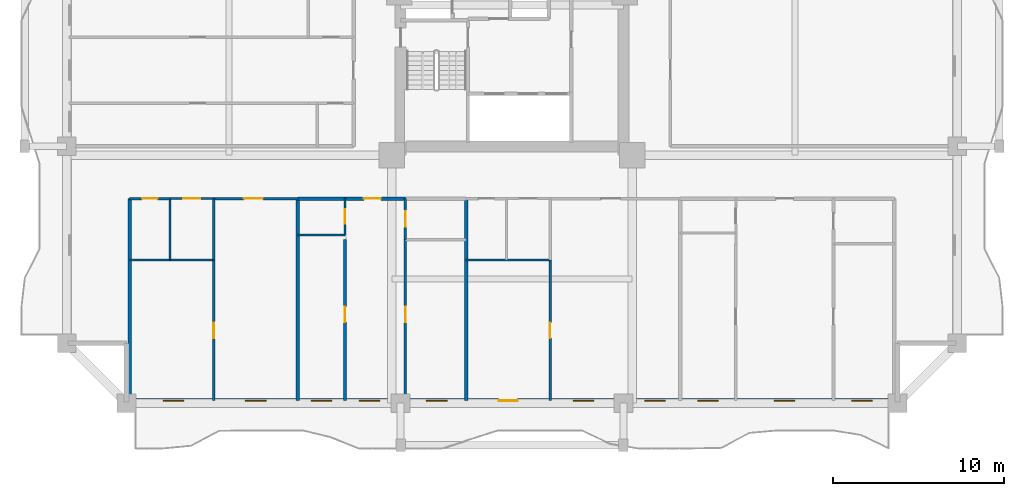
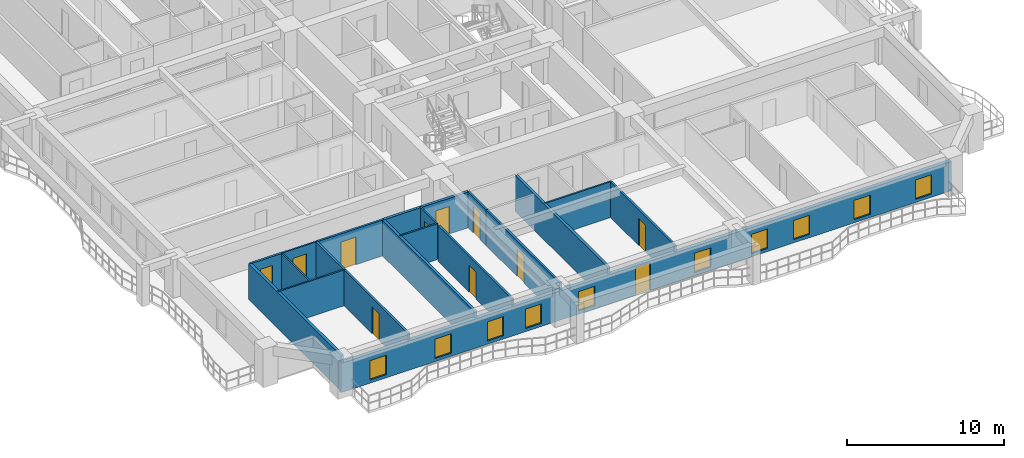
# One storey, part 2 of 15: 20 walls, 11 doors, 10 windows, 21 openings.
"""IFC4 building model written with IfcOpenShell, lengths in metres."""

from ifc_helpers import new_model, si_unit, direction, frame, frame_2d, origin, place, context, subcontext, project, spatial, rectangle, extrude, source, transform, mapped, material, layer, layer_set, type_object, element, fill, save


model = new_model("IFC4")

# Units and contexts
model_context = context("Model", 3, precision=1e-05, world=origin(), true_north=direction((0.0, 1.0)))
body_context = subcontext(model_context, "Body", "Model", "MODEL_VIEW")
ifc_project = project(units=[si_unit("LENGTHUNIT", "METRE"), si_unit("AREAUNIT", "SQUARE_METRE"), si_unit("VOLUMEUNIT", "CUBIC_METRE"), si_unit("PLANEANGLEUNIT", "RADIAN"), si_unit("MASSUNIT", "GRAM", prefix="KILO")], contexts=[model_context])

# Site, building, storey
site_placement = place(None, origin())
site = spatial("IfcSite", under=ifc_project, at=site_placement, CompositionType="ELEMENT")
building_placement = place(site_placement, origin())
building = spatial("IfcBuilding", under=site, at=building_placement, Name="Saelheon Loggia Tower", CompositionType="ELEMENT")
storey_placement = place(building_placement, frame((0.0, 0.0, 46.39990234375)))
storey = spatial("IfcBuildingStorey", under=building, at=storey_placement, Name="L14", CompositionType="ELEMENT", Elevation=46.39990234375)

# Wall, openings, windows, door
ifc_material_1 = material(Name="Architectural Precast Concrete C40/50", Category="concrete")
ifc_layer_1 = layer(ifc_material_1, 0.280029296875)
ifc_layer_set_1 = layer_set([ifc_layer_1], Name="Architectural Precast Concrete C40/50")
wall_type_1 = type_object("IfcWallType", Name="Wall_Ext_Loggia_280", PredefinedType="SOLIDWALL", material=ifc_layer_set_1)
wall_1_placement = place(storey_placement, frame((15.5, 3.139892578125, 0.0), z_axis=(0.0, 0.0, 1.0), x_axis=(1.0, 0.0, 0.0)))
wall_1 = element("IfcWall", 1, at=wall_1_placement, inside=storey, type_object=wall_type_1, Name="L14 South Loggia Inner Wall", PredefinedType="SOLIDWALL", context=body_context, shape_type="SweptSolid", body=[
    extrude(rectangle(XDim=45.0, YDim=0.280029296875, at=frame_2d((22.5, 0.0))), origin(), (0.0, 0.0, 1.0), 2.280029296875),
])
opening_1_placement = place(wall_1_placement, frame((2.135009765625, 0.0, 0.25)))
opening_1 = element("IfcOpeningElement", 2, at=opening_1_placement, cuts=wall_1, Name="Opening WN-03", PredefinedType="OPENING", context=body_context, shape_type="SweptSolid", body=[
    extrude(rectangle(XDim=1.199951171875, YDim=1.5, at=frame_2d((0.60009765625, 0.75))), frame((0.0, 0.152099609375, 0.0), z_axis=(0.0, -1.0, 0.0), x_axis=(1.0, 0.0, 0.0)), (0.0, 0.0, 1.0), 0.303955078125),
])
opening_2_placement = place(wall_1_placement, frame((6.9404296875, 0.0, 0.25)))
opening_2 = element("IfcOpeningElement", 3, at=opening_2_placement, cuts=wall_1, Name="Opening WN-03", PredefinedType="OPENING", context=body_context, shape_type="SweptSolid", body=[
    extrude(rectangle(XDim=1.199951171875, YDim=1.5, at=frame_2d((0.60009765625, 0.75))), frame((0.0, 0.152099609375, 0.0), z_axis=(0.0, -1.0, 0.0), x_axis=(1.0, 0.0, 0.0)), (0.0, 0.0, 1.0), 0.303955078125),
])
opening_3_placement = place(wall_1_placement, frame((10.775634765625, 0.0, 0.25)))
opening_3 = element("IfcOpeningElement", 4, at=opening_3_placement, cuts=wall_1, Name="Opening WN-03", PredefinedType="OPENING", context=body_context, shape_type="SweptSolid", body=[
    extrude(rectangle(XDim=1.199951171875, YDim=1.5, at=frame_2d((0.60009765625, 0.75))), frame((0.0, 0.152099609375, 0.0), z_axis=(0.0, -1.0, 0.0), x_axis=(1.0, 0.0, 0.0)), (0.0, 0.0, 1.0), 0.303955078125),
])
opening_4_placement = place(wall_1_placement, frame((13.580322265625, 0.0, 0.25)))
opening_4 = element("IfcOpeningElement", 5, at=opening_4_placement, cuts=wall_1, Name="Opening WN-03", PredefinedType="OPENING", context=body_context, shape_type="SweptSolid", body=[
    extrude(rectangle(XDim=1.199951171875, YDim=1.5, at=frame_2d((0.60009765625, 0.75))), frame((0.0, 0.152099609375, 0.0), z_axis=(0.0, -1.0, 0.0), x_axis=(1.0, 0.0, 0.0)), (0.0, 0.0, 1.0), 0.303955078125),
])
opening_5_placement = place(wall_1_placement, frame((17.505859375, 0.0, 0.25)))
opening_5 = element("IfcOpeningElement", 6, at=opening_5_placement, cuts=wall_1, Name="Opening WN-03", PredefinedType="OPENING", context=body_context, shape_type="SweptSolid", body=[
    extrude(rectangle(XDim=1.199951171875, YDim=1.5, at=frame_2d((0.60009765625, 0.75))), frame((0.0, 0.152099609375, 0.0), z_axis=(0.0, -1.0, 0.0), x_axis=(1.0, 0.0, 0.0)), (0.0, 0.0, 1.0), 0.303955078125),
])
opening_6_placement = place(wall_1_placement, frame((22.82177734375, 0.0, 0.0), z_axis=(0.0, 0.0, 1.0), x_axis=(-1.0, 0.0, 0.0)))
opening_6 = element("IfcOpeningElement", 7, at=opening_6_placement, cuts=wall_1, Name="Opening TD1", PredefinedType="OPENING", context=body_context, shape_type="SweptSolid", body=[
    extrude(rectangle(XDim=1.10009765625, YDim=2.14990234375, at=frame_2d((0.550048828125, 1.074951171875))), frame((0.0, 0.152099609375, 0.0), z_axis=(0.0, -1.0, 0.0), x_axis=(1.0, 0.0, 0.0)), (0.0, 0.0, 1.0), 0.303955078125),
])
opening_7_placement = place(wall_1_placement, frame((26.06591796875, 0.0, 0.25)))
opening_7 = element("IfcOpeningElement", 8, at=opening_7_placement, cuts=wall_1, Name="Opening WN-03", PredefinedType="OPENING", context=body_context, shape_type="SweptSolid", body=[
    extrude(rectangle(XDim=1.199951171875, YDim=1.5, at=frame_2d((0.60009765625, 0.75))), frame((0.0, 0.152099609375, 0.0), z_axis=(0.0, -1.0, 0.0), x_axis=(1.0, 0.0, 0.0)), (0.0, 0.0, 1.0), 0.303955078125),
])
opening_8_placement = place(wall_1_placement, frame((30.25537109375, 0.0, 0.25)))
opening_8 = element("IfcOpeningElement", 9, at=opening_8_placement, cuts=wall_1, Name="Opening WN-03", PredefinedType="OPENING", context=body_context, shape_type="SweptSolid", body=[
    extrude(rectangle(XDim=1.199951171875, YDim=1.5, at=frame_2d((0.60009765625, 0.75))), frame((0.0, 0.152099609375, 0.0), z_axis=(0.0, -1.0, 0.0), x_axis=(1.0, 0.0, 0.0)), (0.0, 0.0, 1.0), 0.303955078125),
])
opening_9_placement = place(wall_1_placement, frame((33.345703125, 0.0, 0.25)))
opening_9 = element("IfcOpeningElement", 10, at=opening_9_placement, cuts=wall_1, Name="Opening WN-03", PredefinedType="OPENING", context=body_context, shape_type="SweptSolid", body=[
    extrude(rectangle(XDim=1.199951171875, YDim=1.5, at=frame_2d((0.60009765625, 0.75))), frame((0.0, 0.152099609375, 0.0), z_axis=(0.0, -1.0, 0.0), x_axis=(1.0, 0.0, 0.0)), (0.0, 0.0, 1.0), 0.303955078125),
])
opening_10_placement = place(wall_1_placement, frame((37.8212890625, 0.0, 0.25)))
opening_10 = element("IfcOpeningElement", 11, at=opening_10_placement, cuts=wall_1, Name="Opening WN-03", PredefinedType="OPENING", context=body_context, shape_type="SweptSolid", body=[
    extrude(rectangle(XDim=1.199951171875, YDim=1.5, at=frame_2d((0.60009765625, 0.75))), frame((0.0, 0.152099609375, 0.0), z_axis=(0.0, -1.0, 0.0), x_axis=(1.0, 0.0, 0.0)), (0.0, 0.0, 1.0), 0.303955078125),
])
opening_11_placement = place(wall_1_placement, frame((42.341064453125, 0.0, 0.25)))
opening_11 = element("IfcOpeningElement", 12, at=opening_11_placement, cuts=wall_1, Name="Opening WN-03", PredefinedType="OPENING", context=body_context, shape_type="SweptSolid", body=[
    extrude(rectangle(XDim=1.199951171875, YDim=1.5, at=frame_2d((0.60009765625, 0.75))), frame((0.0, 0.152099609375, 0.0), z_axis=(0.0, -1.0, 0.0), x_axis=(1.0, 0.0, 0.0)), (0.0, 0.0, 1.0), 0.303955078125),
])
ifc_material_2 = material(Name="Thermal-Break Aluminium and Triple Low-E Glass", Category="aluminium")
window_type = type_object("IfcWindowType", Name="Win_Bedroom_1200x1500", PartitioningType="SINGLE_PANEL", PredefinedType="WINDOW", material=ifc_material_2)
shared_shape_1 = source(origin(), body_context, "Body", "SweptSolid", [
    extrude(rectangle(XDim=1.199951171875, YDim=1.5, at=frame_2d((0.60009765625, 0.75))), frame((0.0, 0.030029296875, 0.0), z_axis=(0.0, -1.0, 0.0), x_axis=(1.0, 0.0, 0.0)), (0.0, 0.0, 1.0), 0.06005859375),
])
window_1_placement = place(opening_1_placement, origin())
window_1 = element("IfcWindow", 13, at=window_1_placement, inside=storey, type_object=window_type, Name="L14 S Dwelling Window 1", OverallHeight=1.5, OverallWidth=1.199951171875, PartitioningType="SINGLE_PANEL", PredefinedType="WINDOW", context=body_context, shape_type="MappedRepresentation", body=[
    mapped(shared_shape_1, transform((0.0, 0.0, 0.0), scale=1.0)),
])
fill(opening_1, window_1)
window_2_placement = place(opening_2_placement, origin())
window_2 = element("IfcWindow", 14, at=window_2_placement, inside=storey, type_object=window_type, Name="L14 S Dwelling Window 2", OverallHeight=1.5, OverallWidth=1.199951171875, PartitioningType="SINGLE_PANEL", PredefinedType="WINDOW", context=body_context, shape_type="MappedRepresentation", body=[
    mapped(shared_shape_1, transform((0.0, 0.0, 0.0), scale=1.0)),
])
fill(opening_2, window_2)
window_3_placement = place(opening_3_placement, origin())
window_3 = element("IfcWindow", 15, at=window_3_placement, inside=storey, type_object=window_type, Name="L14 S Dwelling Window 3", OverallHeight=1.5, OverallWidth=1.199951171875, PartitioningType="SINGLE_PANEL", PredefinedType="WINDOW", context=body_context, shape_type="MappedRepresentation", body=[
    mapped(shared_shape_1, transform((0.0, 0.0, 0.0), scale=1.0)),
])
fill(opening_3, window_3)
window_4_placement = place(opening_4_placement, origin())
window_4 = element("IfcWindow", 16, at=window_4_placement, inside=storey, type_object=window_type, Name="L14 S Dwelling Window 4", OverallHeight=1.5, OverallWidth=1.199951171875, PartitioningType="SINGLE_PANEL", PredefinedType="WINDOW", context=body_context, shape_type="MappedRepresentation", body=[
    mapped(shared_shape_1, transform((0.0, 0.0, 0.0), scale=1.0)),
])
fill(opening_4, window_4)
window_5_placement = place(opening_5_placement, origin())
window_5 = element("IfcWindow", 17, at=window_5_placement, inside=storey, type_object=window_type, Name="L14 S Dwelling Window 5", OverallHeight=1.5, OverallWidth=1.199951171875, PartitioningType="SINGLE_PANEL", PredefinedType="WINDOW", context=body_context, shape_type="MappedRepresentation", body=[
    mapped(shared_shape_1, transform((0.0, 0.0, 0.0), scale=1.0)),
])
fill(opening_5, window_5)
window_6_placement = place(opening_7_placement, origin())
window_6 = element("IfcWindow", 18, at=window_6_placement, inside=storey, type_object=window_type, Name="L14 S Dwelling Window 7", OverallHeight=1.5, OverallWidth=1.199951171875, PartitioningType="SINGLE_PANEL", PredefinedType="WINDOW", context=body_context, shape_type="MappedRepresentation", body=[
    mapped(shared_shape_1, transform((0.0, 0.0, 0.0), scale=1.0)),
])
fill(opening_7, window_6)
window_7_placement = place(opening_8_placement, origin())
window_7 = element("IfcWindow", 19, at=window_7_placement, inside=storey, type_object=window_type, Name="L14 S Dwelling Window 8", OverallHeight=1.5, OverallWidth=1.199951171875, PartitioningType="SINGLE_PANEL", PredefinedType="WINDOW", context=body_context, shape_type="MappedRepresentation", body=[
    mapped(shared_shape_1, transform((0.0, 0.0, 0.0), scale=1.0)),
])
fill(opening_8, window_7)
window_8_placement = place(opening_9_placement, origin())
window_8 = element("IfcWindow", 20, at=window_8_placement, inside=storey, type_object=window_type, Name="L14 S Dwelling Window 9", OverallHeight=1.5, OverallWidth=1.199951171875, PartitioningType="SINGLE_PANEL", PredefinedType="WINDOW", context=body_context, shape_type="MappedRepresentation", body=[
    mapped(shared_shape_1, transform((0.0, 0.0, 0.0), scale=1.0)),
])
fill(opening_9, window_8)
window_9_placement = place(opening_10_placement, origin())
window_9 = element("IfcWindow", 21, at=window_9_placement, inside=storey, type_object=window_type, Name="L14 S Dwelling Window 10", OverallHeight=1.5, OverallWidth=1.199951171875, PartitioningType="SINGLE_PANEL", PredefinedType="WINDOW", context=body_context, shape_type="MappedRepresentation", body=[
    mapped(shared_shape_1, transform((0.0, 0.0, 0.0), scale=1.0)),
])
fill(opening_10, window_9)
window_10_placement = place(opening_11_placement, origin())
window_10 = element("IfcWindow", 22, at=window_10_placement, inside=storey, type_object=window_type, Name="L14 S Dwelling Window 11", OverallHeight=1.5, OverallWidth=1.199951171875, PartitioningType="SINGLE_PANEL", PredefinedType="WINDOW", context=body_context, shape_type="MappedRepresentation", body=[
    mapped(shared_shape_1, transform((0.0, 0.0, 0.0), scale=1.0)),
])
fill(opening_11, window_10)
ifc_material_3 = material(Name="Thermal-Break Aluminium Glazed Door", Category="aluminium")
door_type_1 = type_object("IfcDoorType", Name="Door_Terrace_TD1", OperationType="NOTDEFINED", PredefinedType="DOOR", material=ifc_material_3)
shared_shape_2 = source(origin(), body_context, "Body", "SweptSolid", [
    extrude(rectangle(XDim=1.10009765625, YDim=2.14990234375, at=frame_2d((0.550048828125, 1.074951171875))), frame((0.0, 0.02490234375, 0.0), z_axis=(0.0, -1.0, 0.0), x_axis=(1.0, 0.0, 0.0)), (0.0, 0.0, 1.0), 0.050048828125),
])
door_1_placement = place(opening_6_placement, origin())
door_1 = element("IfcDoor", 23, at=door_1_placement, inside=storey, type_object=door_type_1, Name="L14 S Loggia Access Door", OperationType="SINGLE_SWING_RIGHT", OverallHeight=2.14990234375, OverallWidth=1.10009765625, PredefinedType="DOOR", context=body_context, shape_type="MappedRepresentation", body=[
    mapped(shared_shape_2, transform((0.0, 0.0, 0.0), scale=1.0)),
])
fill(opening_6, door_1)

# Wall
ifc_material_4 = material(Name="Lightweight Autoclaved Aerated Concrete Block and Acoustic Gypsum", Category="concrete")
ifc_layer_2 = layer(ifc_material_4, 0.14990234375)
ifc_layer_set_2 = layer_set([ifc_layer_2], Name="Lightweight Autoclaved Aerated Concrete Block and Acoustic Gypsum")
wall_type_2 = type_object("IfcWallType", Name="Wall_Part_150", PredefinedType="PARTITIONING", material=ifc_layer_set_2)
wall_2_placement = place(storey_placement, frame((20.580078125, 14.949951171875, 0.0), z_axis=(0.0, 0.0, 1.0), x_axis=(0.0, -1.0, 0.0)))
element("IfcWall", 24, at=wall_2_placement, inside=storey, type_object=wall_type_2, Name="L14 S Partition U04", PredefinedType="PARTITIONING", context=body_context, shape_type="SweptSolid", body=[
    extrude(rectangle(XDim=3.599853515625, YDim=0.14990234375, at=frame_2d((1.7998046875, 0.0))), origin(), (0.0, 0.0, 1.0), 2.7900390625),
])

# Wall, opening, door
wall_3_placement = place(storey_placement, frame((20.580078125, 11.35009765625, 0.0), z_axis=(0.0, 0.0, 1.0), x_axis=(0.0, -1.0, 0.0)))
wall_3 = element("IfcWall", 25, at=wall_3_placement, inside=storey, type_object=wall_type_2, Name="L14 S Partition U05", PredefinedType="PARTITIONING", context=body_context, shape_type="SweptSolid", body=[
    extrude(rectangle(XDim=8.2001953125, YDim=0.14990234375, at=frame_2d((4.10009765625, 0.0))), origin(), (0.0, 0.0, 1.0), 2.7900390625),
])
opening_12_placement = place(wall_3_placement, frame((3.64990234375, 0.0, 0.0)))
opening_12 = element("IfcOpeningElement", 26, at=opening_12_placement, cuts=wall_3, Name="Opening D-IN2", PredefinedType="OPENING", context=body_context, shape_type="SweptSolid", body=[
    extrude(rectangle(XDim=0.89990234375, YDim=2.10009765625, at=frame_2d((0.449951171875, 1.050048828125))), frame((0.0, 0.0869140625, 0.0), z_axis=(0.0, -1.0, 0.0), x_axis=(1.0, 0.0, 0.0)), (0.0, 0.0, 1.0), 0.173828125),
])
ifc_material_5 = material(Name="Engineered Oak Flush Door", Category="timber")
door_type_2 = type_object("IfcDoorType", Name="Door_Int_900", OperationType="NOTDEFINED", PredefinedType="DOOR", material=ifc_material_5)
shared_shape_3 = source(origin(), body_context, "Body", "SweptSolid", [
    extrude(rectangle(XDim=0.89990234375, YDim=2.10009765625, at=frame_2d((0.449951171875, 1.050048828125))), frame((0.0, 0.02490234375, 0.0), z_axis=(0.0, -1.0, 0.0), x_axis=(1.0, 0.0, 0.0)), (0.0, 0.0, 1.0), 0.050048828125),
])
door_2_placement = place(opening_12_placement, origin())
door_2 = element("IfcDoor", 27, at=door_2_placement, inside=storey, type_object=door_type_2, Name="L14 Reading Alcove Door", OperationType="SINGLE_SWING_LEFT", OverallHeight=2.10009765625, OverallWidth=0.89990234375, PredefinedType="DOOR", context=body_context, shape_type="MappedRepresentation", body=[
    mapped(shared_shape_3, transform((0.0, 0.0, 0.0), scale=1.0)),
])
fill(opening_12, door_2)

wall_4_placement = place(storey_placement, frame((15.679931640625, 14.949951171875, 0.0), z_axis=(0.0, 0.0, 1.0), x_axis=(1.0, 0.0, 0.0)))
wall_4 = element("IfcWall", 28, at=wall_4_placement, inside=storey, type_object=wall_type_2, Name="L14 S Partition V07", PredefinedType="PARTITIONING", context=body_context, shape_type="SweptSolid", body=[
    extrude(rectangle(XDim=2.35009765625, YDim=0.14990234375, at=frame_2d((1.175048828125, 0.0))), origin(), (0.0, 0.0, 1.0), 2.7900390625),
])
opening_13_placement = place(wall_4_placement, frame((0.72509765625, 0.0, 0.0)))
opening_13 = element("IfcOpeningElement", 29, at=opening_13_placement, cuts=wall_4, Name="Opening D-IN2", PredefinedType="OPENING", context=body_context, shape_type="SweptSolid", body=[
    extrude(rectangle(XDim=0.89990234375, YDim=2.10009765625, at=frame_2d((0.449951171875, 1.050048828125))), frame((0.0, 0.0869140625, 0.0), z_axis=(0.0, -1.0, 0.0), x_axis=(1.0, 0.0, 0.0)), (0.0, 0.0, 1.0), 0.173828125),
])
door_3_placement = place(opening_13_placement, origin())
door_3 = element("IfcDoor", 30, at=door_3_placement, inside=storey, type_object=door_type_2, Name="L14 Community Pantry Door", OperationType="SINGLE_SWING_RIGHT", OverallHeight=2.10009765625, OverallWidth=0.89990234375, PredefinedType="DOOR", context=body_context, shape_type="MappedRepresentation", body=[
    mapped(shared_shape_3, transform((0.0, 0.0, 0.0), scale=1.0)),
])
fill(opening_13, door_3)

wall_5_placement = place(storey_placement, frame((20.580078125, 14.949951171875, 0.0), z_axis=(0.0, 0.0, 1.0), x_axis=(1.0, 0.0, 0.0)))
wall_5 = element("IfcWall", 31, at=wall_5_placement, inside=storey, type_object=wall_type_2, Name="L14 S Partition V09", PredefinedType="PARTITIONING", context=body_context, shape_type="SweptSolid", body=[
    extrude(rectangle(XDim=4.920654296875, YDim=0.14990234375, at=frame_2d((2.46044921875, 0.0))), origin(), (0.0, 0.0, 1.0), 2.7900390625),
])
opening_14_placement = place(wall_5_placement, frame((1.77294921875, 0.0, 0.0)))
opening_14 = element("IfcOpeningElement", 32, at=opening_14_placement, cuts=wall_5, Name="Opening D-FD2", PredefinedType="OPENING", context=body_context, shape_type="SweptSolid", body=[
    extrude(rectangle(XDim=1.10009765625, YDim=2.14990234375, at=frame_2d((0.550048828125, 1.074951171875))), frame((0.0, 0.0869140625, 0.0), z_axis=(0.0, -1.0, 0.0), x_axis=(1.0, 0.0, 0.0)), (0.0, 0.0, 1.0), 0.173828125),
])
ifc_material_6 = material(Name="Galvanised Steel Fire Door", Category="steel")
door_type_3 = type_object("IfcDoorType", Name="Door_Fire_FD60_1100", OperationType="NOTDEFINED", PredefinedType="DOOR", material=ifc_material_6)
door_4_placement = place(opening_14_placement, origin())
door_4 = element("IfcDoor", 33, at=door_4_placement, inside=storey, type_object=door_type_3, Name="L14 Community Reading Library Door A", OperationType="SINGLE_SWING_RIGHT", OverallHeight=2.14990234375, OverallWidth=1.10009765625, PredefinedType="DOOR", context=body_context, shape_type="MappedRepresentation", body=[
    mapped(shared_shape_2, transform((0.0, 0.0, 0.0), scale=1.0)),
])
fill(opening_14, door_4)

wall_6_placement = place(storey_placement, frame((28.25048828125, 12.550048828125, 0.0), z_axis=(0.0, 0.0, 1.0), x_axis=(0.0, -1.0, 0.0)))
wall_6 = element("IfcWall", 34, at=wall_6_placement, inside=storey, type_object=wall_type_2, Name="L14 S Partition U17", PredefinedType="PARTITIONING", context=body_context, shape_type="SweptSolid", body=[
    extrude(rectangle(XDim=9.400146484375, YDim=0.14990234375, at=frame_2d((4.7001953125, 0.0))), origin(), (0.0, 0.0, 1.0), 2.7900390625),
])
opening_15_placement = place(wall_6_placement, frame((3.915771484375, 0.0, 0.0)))
opening_15 = element("IfcOpeningElement", 35, at=opening_15_placement, cuts=wall_6, Name="Opening D-IN2", PredefinedType="OPENING", context=body_context, shape_type="SweptSolid", body=[
    extrude(rectangle(XDim=0.89990234375, YDim=2.10009765625, at=frame_2d((0.449951171875, 1.050048828125))), frame((0.0, 0.0869140625, 0.0), z_axis=(0.0, -1.0, 0.0), x_axis=(1.0, 0.0, 0.0)), (0.0, 0.0, 1.0), 0.173828125),
])
door_5_placement = place(opening_15_placement, origin())
door_5 = element("IfcDoor", 36, at=door_5_placement, inside=storey, type_object=door_type_2, Name="Unit U01 Kitchen Door", OperationType="SINGLE_SWING_LEFT", OverallHeight=2.10009765625, OverallWidth=0.89990234375, PredefinedType="DOOR", context=body_context, shape_type="MappedRepresentation", body=[
    mapped(shared_shape_3, transform((0.0, 0.0, 0.0), scale=1.0)),
])
fill(opening_15, door_5)

wall_7_placement = place(storey_placement, frame((31.780029296875, 14.949951171875, 0.0), z_axis=(0.0, 0.0, 1.0), x_axis=(0.0, -1.0, 0.0)))
wall_7 = element("IfcWall", 37, at=wall_7_placement, inside=storey, type_object=wall_type_2, Name="L14 S Partition U18", PredefinedType="PARTITIONING", context=body_context, shape_type="SweptSolid", body=[
    extrude(rectangle(XDim=2.39990234375, YDim=0.14990234375, at=frame_2d((1.199951171875, 0.0))), origin(), (0.0, 0.0, 1.0), 2.7900390625),
])
opening_16_placement = place(wall_7_placement, frame((0.75, 0.0, 0.0)))
opening_16 = element("IfcOpeningElement", 38, at=opening_16_placement, cuts=wall_7, Name="Opening D-IN2", PredefinedType="OPENING", context=body_context, shape_type="SweptSolid", body=[
    extrude(rectangle(XDim=0.89990234375, YDim=2.10009765625, at=frame_2d((0.449951171875, 1.050048828125))), frame((0.0, 0.0869140625, 0.0), z_axis=(0.0, -1.0, 0.0), x_axis=(1.0, 0.0, 0.0)), (0.0, 0.0, 1.0), 0.173828125),
])
door_6_placement = place(opening_16_placement, origin())
door_6 = element("IfcDoor", 39, at=door_6_placement, inside=storey, type_object=door_type_2, Name="Unit U01 Dressing Closet Door", OperationType="SINGLE_SWING_RIGHT", OverallHeight=2.10009765625, OverallWidth=0.89990234375, PredefinedType="DOOR", context=body_context, shape_type="MappedRepresentation", body=[
    mapped(shared_shape_3, transform((0.0, 0.0, 0.0), scale=1.0)),
])
fill(opening_16, door_6)

wall_8_placement = place(storey_placement, frame((31.780029296875, 12.550048828125, 0.0), z_axis=(0.0, 0.0, 1.0), x_axis=(0.0, -1.0, 0.0)))
wall_8 = element("IfcWall", 40, at=wall_8_placement, inside=storey, type_object=wall_type_2, Name="L14 S Partition U19", PredefinedType="PARTITIONING", context=body_context, shape_type="SweptSolid", body=[
    extrude(rectangle(XDim=9.400146484375, YDim=0.14990234375, at=frame_2d((4.7001953125, 0.0))), origin(), (0.0, 0.0, 1.0), 2.7900390625),
])
opening_17_placement = place(wall_8_placement, frame((3.915771484375, 0.0, 0.0)))
opening_17 = element("IfcOpeningElement", 41, at=opening_17_placement, cuts=wall_8, Name="Opening D-IN2", PredefinedType="OPENING", context=body_context, shape_type="SweptSolid", body=[
    extrude(rectangle(XDim=0.89990234375, YDim=2.10009765625, at=frame_2d((0.449951171875, 1.050048828125))), frame((0.0, 0.0869140625, 0.0), z_axis=(0.0, -1.0, 0.0), x_axis=(1.0, 0.0, 0.0)), (0.0, 0.0, 1.0), 0.173828125),
])
door_7_placement = place(opening_17_placement, origin())
door_7 = element("IfcDoor", 42, at=door_7_placement, inside=storey, type_object=door_type_2, Name="Unit U01 Bedroom 1 Door", OperationType="SINGLE_SWING_LEFT", OverallHeight=2.10009765625, OverallWidth=0.89990234375, PredefinedType="DOOR", context=body_context, shape_type="MappedRepresentation", body=[
    mapped(shared_shape_3, transform((0.0, 0.0, 0.0), scale=1.0)),
])
fill(opening_17, door_7)

wall_9_placement = place(storey_placement, frame((40.2216796875, 11.35009765625, 0.0), z_axis=(0.0, 0.0, 1.0), x_axis=(0.0, -1.0, 0.0)))
wall_9 = element("IfcWall", 43, at=wall_9_placement, inside=storey, type_object=wall_type_2, Name="L14 S Partition U23", PredefinedType="PARTITIONING", context=body_context, shape_type="SweptSolid", body=[
    extrude(rectangle(XDim=8.2001953125, YDim=0.14990234375, at=frame_2d((4.10009765625, 0.0))), origin(), (0.0, 0.0, 1.0), 2.7900390625),
])
opening_18_placement = place(wall_9_placement, frame((3.64990234375, 0.0, 0.0)))
opening_18 = element("IfcOpeningElement", 44, at=opening_18_placement, cuts=wall_9, Name="Opening D-IN2", PredefinedType="OPENING", context=body_context, shape_type="SweptSolid", body=[
    extrude(rectangle(XDim=0.89990234375, YDim=2.10009765625, at=frame_2d((0.449951171875, 1.050048828125))), frame((0.0, 0.0869140625, 0.0), z_axis=(0.0, -1.0, 0.0), x_axis=(1.0, 0.0, 0.0)), (0.0, 0.0, 1.0), 0.173828125),
])
door_8_placement = place(opening_18_placement, origin())
door_8 = element("IfcDoor", 45, at=door_8_placement, inside=storey, type_object=door_type_2, Name="L14 Reading Alcove Door", OperationType="SINGLE_SWING_RIGHT", OverallHeight=2.10009765625, OverallWidth=0.89990234375, PredefinedType="DOOR", context=body_context, shape_type="MappedRepresentation", body=[
    mapped(shared_shape_3, transform((0.0, 0.0, 0.0), scale=1.0)),
])
fill(opening_18, door_8)

# Walls
ifc_material_7 = material(Name="Double Acoustic Stud and Fireboard Partition", Category="gypsum")
ifc_layer_3 = layer(ifc_material_7, 0.199951171875)
ifc_layer_set_3 = layer_set([ifc_layer_3], Name="Double Acoustic Stud and Fireboard Partition")
wall_type_3 = type_object("IfcWallType", Name="Wall_Party_200", PredefinedType="PARTITIONING", material=ifc_layer_set_3)
for number, where, z_axis, x_axis, name in (
    (46, (15.679931640625, 14.949951171875, 0.0), (0.0, 0.0, 1.0), (0.0, -1.0, 0.0), "L14 S Partition U01"),
    (47, (25.500732421875, 14.949951171875, 0.0), (0.0, 0.0, 1.0), (0.0, -1.0, 0.0), "L14 S Partition U10"),
):
    element("IfcWall", number, at=place(storey_placement, frame(where, z_axis=z_axis, x_axis=x_axis)), inside=storey, type_object=wall_type_3, Name=name, PredefinedType="PARTITIONING", context=body_context, shape_type="SweptSolid", body=[
        extrude(rectangle(XDim=11.800048828125, YDim=0.199951171875, at=frame_2d((5.89990234375, 0.0))), origin(), (0.0, 0.0, 1.0), 2.7900390625),
    ])
wall_10_placement = place(storey_placement, frame((25.500732421875, 14.949951171875, 0.0), z_axis=(0.0, 0.0, 1.0), x_axis=(1.0, 0.0, 0.0)))
element("IfcWall", 48, at=wall_10_placement, inside=storey, type_object=wall_type_3, Name="L14 S Partition V11", PredefinedType="PARTITIONING", context=body_context, shape_type="SweptSolid", body=[
    extrude(rectangle(XDim=2.749755859375, YDim=0.199951171875, at=frame_2d((1.375, 0.0))), origin(), (0.0, 0.0, 1.0), 2.7900390625),
])

# Wall, opening, door
wall_11_placement = place(storey_placement, frame((28.25048828125, 14.949951171875, 0.0), z_axis=(0.0, 0.0, 1.0), x_axis=(1.0, 0.0, 0.0)))
wall_11 = element("IfcWall", 49, at=wall_11_placement, inside=storey, type_object=wall_type_3, Name="L14 S Partition V12", PredefinedType="PARTITIONING", context=body_context, shape_type="SweptSolid", body=[
    extrude(rectangle(XDim=3.529541015625, YDim=0.199951171875, at=frame_2d((1.7646484375, 0.0))), origin(), (0.0, 0.0, 1.0), 2.7900390625),
])
opening_19_placement = place(wall_11_placement, frame((1.097412109375, 0.0, 0.0)))
opening_19 = element("IfcOpeningElement", 50, at=opening_19_placement, cuts=wall_11, Name="Opening D-FD1", PredefinedType="OPENING", context=body_context, shape_type="SweptSolid", body=[
    extrude(rectangle(XDim=1.0, YDim=2.14990234375, at=frame_2d((0.5, 1.074951171875))), frame((0.0, 0.112060546875, 0.0), z_axis=(0.0, -1.0, 0.0), x_axis=(1.0, 0.0, 0.0)), (0.0, 0.0, 1.0), 0.223876953125),
])
ifc_material_8 = material(Name="Fire-Rated Engineered Timber Entrance Door", Category="wood")
door_type_4 = type_object("IfcDoorType", Name="Door_Flat_FD30S", OperationType="NOTDEFINED", PredefinedType="DOOR", material=ifc_material_8)
shared_shape_4 = source(origin(), body_context, "Body", "SweptSolid", [
    extrude(rectangle(XDim=1.0, YDim=2.14990234375, at=frame_2d((0.5, 1.074951171875))), frame((0.0, 0.02490234375, 0.0), z_axis=(0.0, -1.0, 0.0), x_axis=(1.0, 0.0, 0.0)), (0.0, 0.0, 1.0), 0.050048828125),
])
door_9_placement = place(opening_19_placement, origin())
door_9 = element("IfcDoor", 51, at=door_9_placement, inside=storey, type_object=door_type_4, Name="Unit U01 Entrance Door", OperationType="SINGLE_SWING_LEFT", OverallHeight=2.14990234375, OverallWidth=1.0, PredefinedType="DOOR", context=body_context, shape_type="MappedRepresentation", body=[
    mapped(shared_shape_4, transform((0.0, 0.0, 0.0), scale=1.0)),
])
fill(opening_19, door_9)

# Walls
wall_12_placement = place(storey_placement, frame((35.321533203125, 14.949951171875, 0.0), z_axis=(0.0, 0.0, 1.0), x_axis=(0.0, -1.0, 0.0)))
element("IfcWall", 52, at=wall_12_placement, inside=storey, type_object=wall_type_3, Name="L14 S Partition U20", PredefinedType="PARTITIONING", context=body_context, shape_type="SweptSolid", body=[
    extrude(rectangle(XDim=11.800048828125, YDim=0.199951171875, at=frame_2d((5.89990234375, 0.0))), origin(), (0.0, 0.0, 1.0), 2.7900390625),
])
ifc_material_9 = material(Name="Moisture-Resistant Cement Board Partition", Category="gypsum")
ifc_layer_4 = layer(ifc_material_9, 0.1201171875)
ifc_layer_set_4 = layer_set([ifc_layer_4], Name="Moisture-Resistant Cement Board Partition")
wall_type_4 = type_object("IfcWallType", Name="Wall_WetPart_120", PredefinedType="PARTITIONING", material=ifc_layer_set_4)
wall_13_placement = place(storey_placement, frame((18.030029296875, 14.949951171875, 0.0), z_axis=(0.0, 0.0, 1.0), x_axis=(0.0, -1.0, 0.0)))
element("IfcWall", 53, at=wall_13_placement, inside=storey, type_object=wall_type_4, Name="L14 S Partition U03", PredefinedType="PARTITIONING", context=body_context, shape_type="SweptSolid", body=[
    extrude(rectangle(XDim=3.599853515625, YDim=0.1201171875, at=frame_2d((1.7998046875, 0.0))), origin(), (0.0, 0.0, 1.0), 2.7900390625),
])
wall_14_placement = place(storey_placement, frame((15.679931640625, 11.35009765625, 0.0), z_axis=(0.0, 0.0, 1.0), x_axis=(1.0, 0.0, 0.0)))
element("IfcWall", 54, at=wall_14_placement, inside=storey, type_object=wall_type_4, Name="L14 S Partition V06", PredefinedType="PARTITIONING", context=body_context, shape_type="SweptSolid", body=[
    extrude(rectangle(XDim=4.900146484375, YDim=0.1201171875, at=frame_2d((2.4501953125, 0.0))), origin(), (0.0, 0.0, 1.0), 2.7900390625),
])

# Wall, opening, door
wall_15_placement = place(storey_placement, frame((18.030029296875, 14.949951171875, 0.0), z_axis=(0.0, 0.0, 1.0), x_axis=(1.0, 0.0, 0.0)))
wall_15 = element("IfcWall", 55, at=wall_15_placement, inside=storey, type_object=wall_type_4, Name="L14 S Partition V08", PredefinedType="PARTITIONING", context=body_context, shape_type="SweptSolid", body=[
    extrude(rectangle(XDim=2.550048828125, YDim=0.1201171875, at=frame_2d((1.27490234375, 0.0))), origin(), (0.0, 0.0, 1.0), 2.7900390625),
])
opening_20_placement = place(wall_15_placement, frame((0.77490234375, 0.0, 0.0)))
opening_20 = element("IfcOpeningElement", 56, at=opening_20_placement, cuts=wall_15, Name="Opening D-AC1", PredefinedType="OPENING", context=body_context, shape_type="SweptSolid", body=[
    extrude(rectangle(XDim=1.0, YDim=2.10009765625, at=frame_2d((0.5, 1.050048828125))), frame((0.0, 0.072021484375, 0.0), z_axis=(0.0, -1.0, 0.0), x_axis=(1.0, 0.0, 0.0)), (0.0, 0.0, 1.0), 0.14404296875),
])
ifc_material_10 = material(Name="Accessible Laminate Flush Door", Category="timber")
door_type_5 = type_object("IfcDoorType", Name="Door_Acc_1000", OperationType="NOTDEFINED", PredefinedType="DOOR", material=ifc_material_10)
shared_shape_5 = source(origin(), body_context, "Body", "SweptSolid", [
    extrude(rectangle(XDim=1.0, YDim=2.10009765625, at=frame_2d((0.5, 1.050048828125))), frame((0.0, 0.02490234375, 0.0), z_axis=(0.0, -1.0, 0.0), x_axis=(1.0, 0.0, 0.0)), (0.0, 0.0, 1.0), 0.050048828125),
])
door_10_placement = place(opening_20_placement, origin())
door_10 = element("IfcDoor", 57, at=door_10_placement, inside=storey, type_object=door_type_5, Name="L14 Common Washroom Door", OperationType="SINGLE_SWING_LEFT", OverallHeight=2.10009765625, OverallWidth=1.0, PredefinedType="DOOR", context=body_context, shape_type="MappedRepresentation", body=[
    mapped(shared_shape_5, transform((0.0, 0.0, 0.0), scale=1.0)),
])
fill(opening_20, door_10)

# Wall
wall_16_placement = place(storey_placement, frame((25.500732421875, 12.830078125, 0.0), z_axis=(0.0, 0.0, 1.0), x_axis=(1.0, 0.0, 0.0)))
element("IfcWall", 58, at=wall_16_placement, inside=storey, type_object=wall_type_4, Name="L14 S Partition V14", PredefinedType="PARTITIONING", context=body_context, shape_type="SweptSolid", body=[
    extrude(rectangle(XDim=2.749755859375, YDim=0.1201171875, at=frame_2d((1.375, 0.0))), origin(), (0.0, 0.0, 1.0), 2.7900390625),
])

# Wall, opening, door
wall_17_placement = place(storey_placement, frame((28.25048828125, 14.949951171875, 0.0), z_axis=(0.0, 0.0, 1.0), x_axis=(0.0, -1.0, 0.0)))
wall_17 = element("IfcWall", 59, at=wall_17_placement, inside=storey, type_object=wall_type_4, Name="L14 S Partition U16", PredefinedType="PARTITIONING", context=body_context, shape_type="SweptSolid", body=[
    extrude(rectangle(XDim=2.119873046875, YDim=0.1201171875, at=frame_2d((1.06005859375, 0.0))), origin(), (0.0, 0.0, 1.0), 2.7900390625),
])
opening_21_placement = place(wall_17_placement, frame((0.635009765625, 0.0, 0.0)))
opening_21 = element("IfcOpeningElement", 60, at=opening_21_placement, cuts=wall_17, Name="Opening D-BT1", PredefinedType="OPENING", context=body_context, shape_type="SweptSolid", body=[
    extrude(rectangle(XDim=0.85009765625, YDim=2.050048828125, at=frame_2d((0.425048828125, 1.02490234375))), frame((0.0, 0.072021484375, 0.0), z_axis=(0.0, -1.0, 0.0), x_axis=(1.0, 0.0, 0.0)), (0.0, 0.0, 1.0), 0.14404296875),
])
ifc_material_11 = material(Name="Moisture-Resistant Laminate Timber Door", Category="wood")
door_type_6 = type_object("IfcDoorType", Name="Door_Bath_850", OperationType="NOTDEFINED", PredefinedType="DOOR", material=ifc_material_11)
shared_shape_6 = source(origin(), body_context, "Body", "SweptSolid", [
    extrude(rectangle(XDim=0.85009765625, YDim=2.050048828125, at=frame_2d((0.425048828125, 1.02490234375))), frame((0.0, 0.02490234375, 0.0), z_axis=(0.0, -1.0, 0.0), x_axis=(1.0, 0.0, 0.0)), (0.0, 0.0, 1.0), 0.050048828125),
])
door_11_placement = place(opening_21_placement, origin())
door_11 = element("IfcDoor", 61, at=door_11_placement, inside=storey, type_object=door_type_6, Name="Unit U01 Bathroom Door", OperationType="SINGLE_SWING_RIGHT", OverallHeight=2.050048828125, OverallWidth=0.85009765625, PredefinedType="DOOR", context=body_context, shape_type="MappedRepresentation", body=[
    mapped(shared_shape_6, transform((0.0, 0.0, 0.0), scale=1.0)),
])
fill(opening_21, door_11)

# Wall
wall_18_placement = place(storey_placement, frame((35.321533203125, 11.35009765625, 0.0), z_axis=(0.0, 0.0, 1.0), x_axis=(1.0, 0.0, 0.0)))
element("IfcWall", 62, at=wall_18_placement, inside=storey, type_object=wall_type_4, Name="L14 S Partition V24", PredefinedType="PARTITIONING", context=body_context, shape_type="SweptSolid", body=[
    extrude(rectangle(XDim=4.900146484375, YDim=0.1201171875, at=frame_2d((2.4501953125, 0.0))), origin(), (0.0, 0.0, 1.0), 2.7900390625),
])

save(model, "model.ifc")
